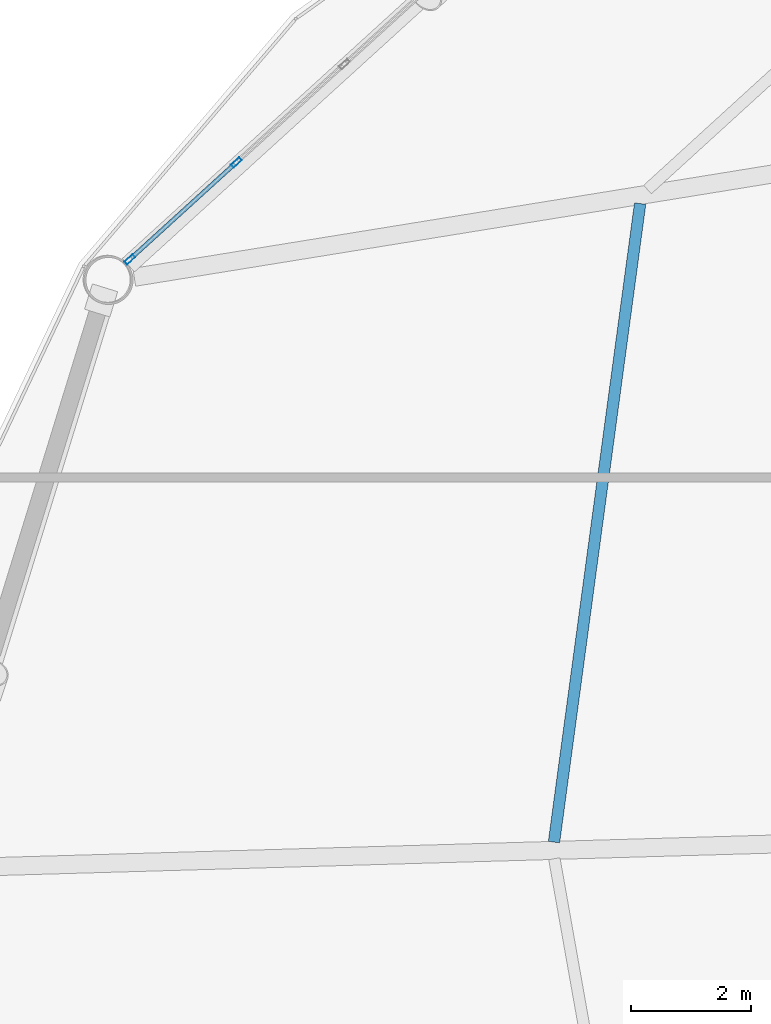
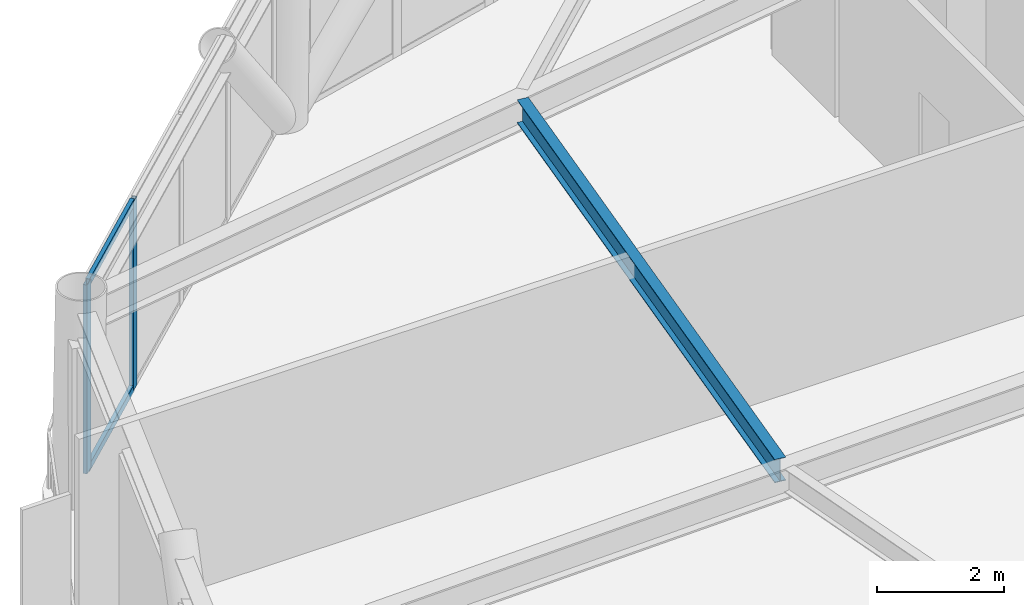
# One storey, part 9 of 25: 4 members, 1 beam, 1 element without a shape of its own.
"""IFC4 building model written with IfcOpenShell, lengths in metres."""

from ifc_helpers import new_model, si_unit, direction, frame, origin, origin_2d, place, context, subcontext, project, spatial, hollow_rectangle, i_section, extrude, material, layer, layer_set, material_profile, profile_set, type_object, element, aggregate, save


model = new_model("IFC4")

# Units and contexts
model_context = context("Model", 3, precision=1e-05, world=origin(), true_north=direction((0.0, 1.0)))
body_context = subcontext(model_context, "Body", "Model", "MODEL_VIEW")
ifc_project = project(units=[si_unit("LENGTHUNIT", "METRE"), si_unit("AREAUNIT", "SQUARE_METRE"), si_unit("VOLUMEUNIT", "CUBIC_METRE"), si_unit("PLANEANGLEUNIT", "RADIAN"), si_unit("MASSUNIT", "GRAM", prefix="KILO")], contexts=[model_context])

# Site, building, storey
site_placement = place(None, origin())
site = spatial("IfcSite", under=ifc_project, at=site_placement, CompositionType="ELEMENT")
building_placement = place(site_placement, origin())
building = spatial("IfcBuilding", under=site, at=building_placement, Name="Varnakorn Sky Granary", CompositionType="ELEMENT")
storey_placement = place(building_placement, frame((0.0, 0.0, 99.300048828125)))
storey = spatial("IfcBuildingStorey", under=building, at=storey_placement, Name="L24", CompositionType="ELEMENT", Elevation=99.300048828125)

# Beam
ifc_material_1 = material(Name="Steel S355JR", Category="steel")
ifc_material_profile_1 = material_profile(ifc_material_1, i_section(OverallWidth=0.18994140625, OverallDepth=0.449951171875, WebThickness=0.009521484375, FlangeThickness=0.0146484375, at=origin_2d()), Name="IPE 450")
ifc_profile_set_1 = profile_set([ifc_material_profile_1], Name="Steel S355JR")
beam_type = type_object("IfcBeamType", Name="BM-SEC-Z2", PredefinedType="BEAM", material=ifc_profile_set_1)
beam_placement = place(storey_placement, frame((-11.280029296875, 11.05029296875, 3.4150390625), z_axis=(-0.133718194518, -0.991019396609, 0.0), x_axis=(0.991019396609, -0.133718194518, 0.0)))
element("IfcBeam", 1, at=beam_placement, inside=storey, type_object=beam_type, Name="Secondary Floor Chord Beam MSB06 L24", PredefinedType="BEAM", context=body_context, shape_type="SweptSolid", body=[
    extrude(i_section(OverallWidth=0.18994140625, OverallDepth=0.449951171875, WebThickness=0.009521484375, FlangeThickness=0.0146484375, at=origin_2d()), origin(), (0.0, 0.0, 1.0), 10.708251953125),
])

# Curtain wall, members
ifc_material_2 = material(Name="Anodised Bronze Aluminium Alloy 6063-T6", Category="aluminium")
ifc_layer = layer(ifc_material_2, 0.18994140625, Name="Anodised Bronze Aluminium Alloy 6063-T6")
ifc_layer_set = layer_set([ifc_layer], Name="Anodised Bronze Aluminium Alloy 6063-T6")
curtain_wall_type = type_object("IfcCurtainWallType", Name="CW-FRM-1", PredefinedType="USERDEFINED", material=ifc_layer_set)
curtain_wall_placement = place(storey_placement, origin())
curtain_wall = element("IfcCurtainWall", 2, at=curtain_wall_placement, inside=storey, type_object=curtain_wall_type, Name="Unitised Curtain Wall CW3 CW-L24-B05", ObjectType="CURTAIN WALL", PredefinedType="USERDEFINED")
ifc_material_profile_2 = material_profile(ifc_material_2, hollow_rectangle(XDim=0.070068359375, YDim=0.18505859375, WallThickness=0.00390625, at=origin_2d()), Name="ALU MULL 70x185")
ifc_profile_set_2 = profile_set([ifc_material_profile_2], Name="Anodised Bronze Aluminium Alloy 6063-T6")
member_type_1 = type_object("IfcMemberType", Name="CW-FRM-1-MULL", PredefinedType="MULLION", material=ifc_profile_set_2)
member_1_placement = place(storey_placement, frame((-19.761474609375, 10.12353515625, 0.0), z_axis=(0.0, 0.0, 1.0), x_axis=(-0.672918732545, 0.739716418224, 0.0)))
member_1 = element("IfcMember", 3, at=member_1_placement, type_object=member_type_1, Name="CW3 mullion 1", PredefinedType="MULLION", context=body_context, shape_type="SweptSolid", body=[
    extrude(hollow_rectangle(XDim=0.070068359375, YDim=0.18505859375, WallThickness=0.00390625, at=origin_2d()), origin(), (0.0, 0.0, 1.0), 3.639892578125),
])
member_2_placement = place(storey_placement, frame((-17.9912109375, 11.73388671875, 0.0), z_axis=(0.0, 0.0, 1.0), x_axis=(-0.672918732545, 0.739716418224, 0.0)))
member_2 = element("IfcMember", 4, at=member_2_placement, type_object=member_type_1, Name="CW3 mullion 2", PredefinedType="MULLION", context=body_context, shape_type="SweptSolid", body=[
    extrude(hollow_rectangle(XDim=0.070068359375, YDim=0.18505859375, WallThickness=0.00390625, at=origin_2d()), origin(), (0.0, 0.0, 1.0), 3.639892578125),
])
ifc_material_profile_3 = material_profile(ifc_material_2, hollow_rectangle(XDim=0.070068359375, YDim=0.139892578125, WallThickness=0.00341796875, at=origin_2d()), Name="ALU TRAN 70x140")
ifc_profile_set_3 = profile_set([ifc_material_profile_3], Name="Anodised Bronze Aluminium Alloy 6063-T6")
member_type_2 = type_object("IfcMemberType", Name="CW-FRM-1-TRAN", PredefinedType="USERDEFINED", material=ifc_profile_set_3)
member_3_placement = place(storey_placement, frame((-19.735595703125, 10.14697265625, 0.034912109375), z_axis=(0.739683254205, 0.672955186806, 0.0), x_axis=(-0.672955186806, 0.739683254205, 0.0)))
member_3 = element("IfcMember", 5, at=member_3_placement, type_object=member_type_2, Name="CW3 transom 1.1", ObjectType="TRANSOM", PredefinedType="USERDEFINED", context=body_context, shape_type="SweptSolid", body=[
    extrude(hollow_rectangle(XDim=0.070068359375, YDim=0.139892578125, WallThickness=0.00341796875, at=origin_2d()), origin(), (0.0, 0.0, 1.0), 2.3232421875),
])
member_4_placement = place(storey_placement, frame((-19.735595703125, 10.14697265625, 3.60498046875), z_axis=(0.739683254205, 0.672955186806, 0.0), x_axis=(-0.672955186806, 0.739683254205, 0.0)))
member_4 = element("IfcMember", 6, at=member_4_placement, type_object=member_type_2, Name="CW3 transom 1.2", ObjectType="TRANSOM", PredefinedType="USERDEFINED", context=body_context, shape_type="SweptSolid", body=[
    extrude(hollow_rectangle(XDim=0.070068359375, YDim=0.139892578125, WallThickness=0.00341796875, at=origin_2d()), origin(), (0.0, 0.0, 1.0), 2.3232421875),
])
aggregate(curtain_wall, [member_1, member_2, member_3, member_4])

save(model, "model.ifc")
